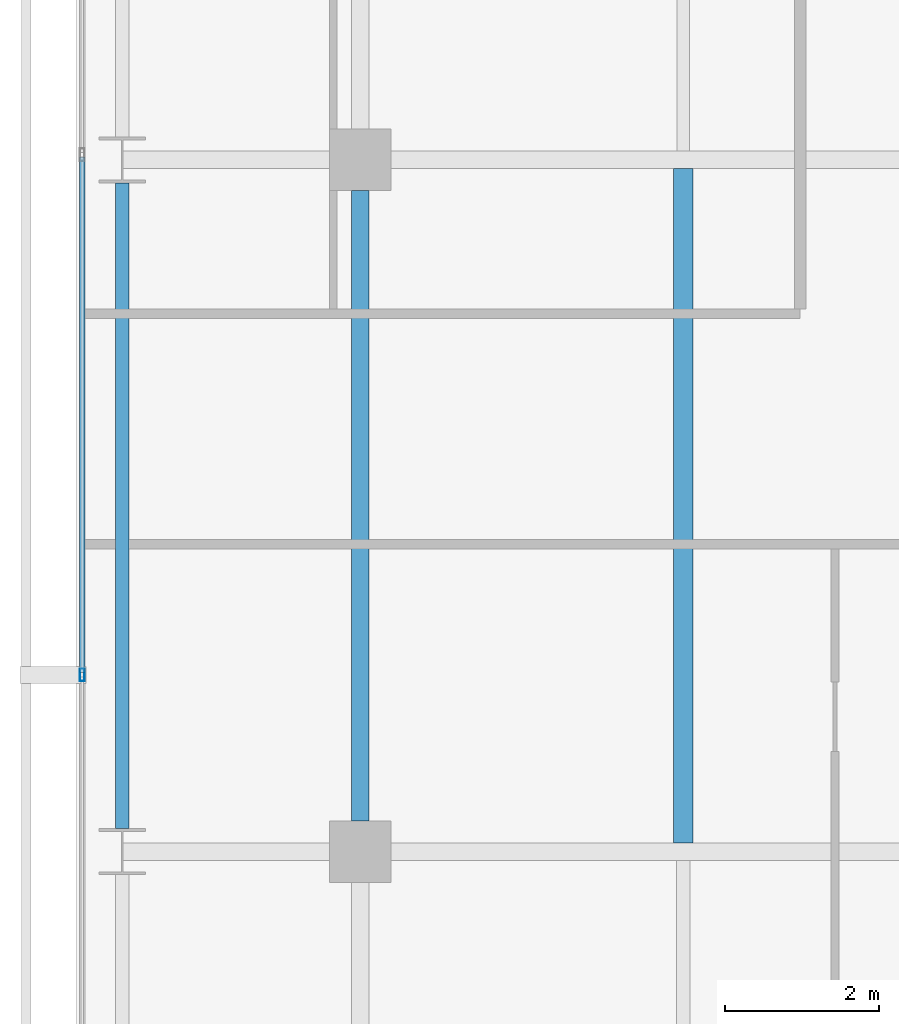
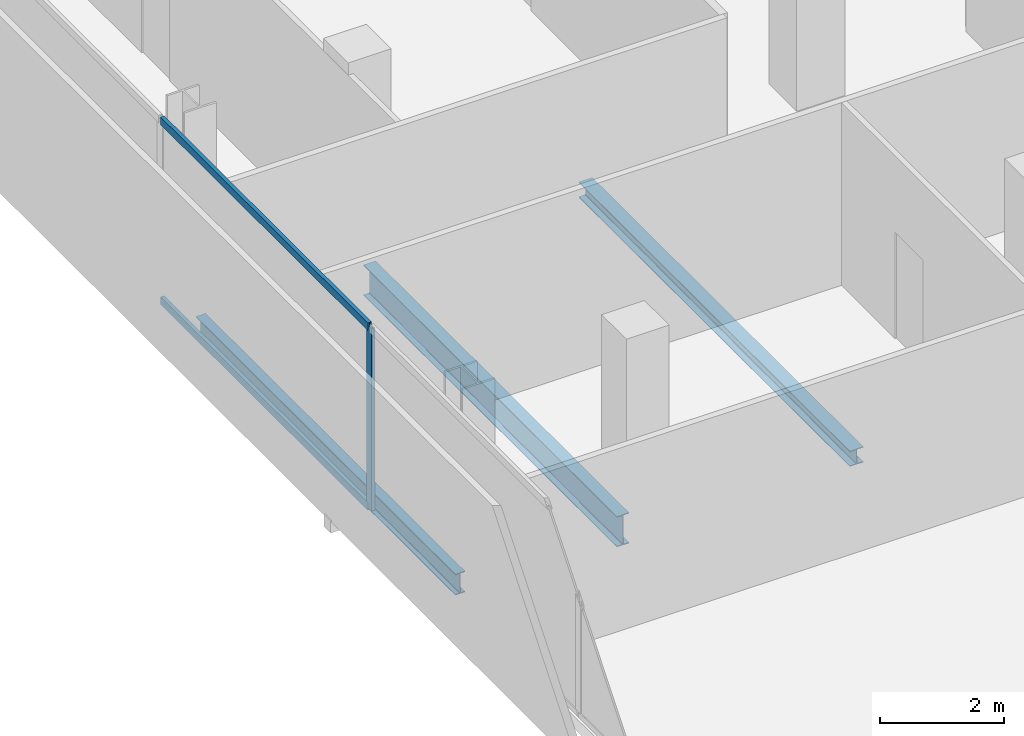
# One storey, part 10 of 32: 3 beams, 3 members, 1 element without a shape of its own.
"""IFC4 building model written with IfcOpenShell, lengths in metres."""

from ifc_helpers import new_model, si_unit, direction, frame, origin, origin_2d, place, context, subcontext, project, spatial, hollow_rectangle, i_section, extrude, material, layer, layer_set, material_profile, profile_set, type_object, element, aggregate, save


model = new_model("IFC4")

# Units and contexts
model_context = context("Model", 3, precision=1e-05, world=origin(), true_north=direction((0.0, 1.0)))
body_context = subcontext(model_context, "Body", "Model", "MODEL_VIEW")
ifc_project = project(units=[si_unit("LENGTHUNIT", "METRE"), si_unit("AREAUNIT", "SQUARE_METRE"), si_unit("VOLUMEUNIT", "CUBIC_METRE"), si_unit("PLANEANGLEUNIT", "RADIAN"), si_unit("MASSUNIT", "GRAM", prefix="KILO")], contexts=[model_context])

# Site, building, storey
site_placement = place(None, origin())
site = spatial("IfcSite", under=ifc_project, at=site_placement, CompositionType="ELEMENT")
building_placement = place(site_placement, origin())
building = spatial("IfcBuilding", under=site, at=building_placement, Name="Maruvema Waterfront Hotel and Observation Tower", CompositionType="ELEMENT")
storey_placement = place(building_placement, frame((0.0, 0.0, 165.89990234375)))
storey = spatial("IfcBuildingStorey", under=building, at=storey_placement, Name="L40", CompositionType="ELEMENT", Elevation=165.89990234375)

# Curtain wall, members
ifc_material_1 = material(Name="Anodised bronze aluminium and solar-control low-E IGU", Category="aluminium")
ifc_layer = layer(ifc_material_1, 0.159912109375, Name="Zone 2 Amber Inner Thermal Curtain Wall System CW-03")
ifc_layer_set = layer_set([ifc_layer], Name="Anodised bronze aluminium and solar-control low-E IGU")
curtain_wall_type = type_object("IfcCurtainWallType", Name="Zone 2 Amber Inner Thermal Curtain Wall System CW-03", PredefinedType="USERDEFINED", material=ifc_layer_set)
curtain_wall_placement = place(storey_placement, origin())
curtain_wall = element("IfcCurtainWall", 1, at=curtain_wall_placement, inside=storey, type_object=curtain_wall_type, Name="L40 Curtain Wall CW-L40-W", ObjectType="UNITISED CURTAIN WALL", PredefinedType="USERDEFINED")
ifc_material_2 = material(Name="Anodised architectural bronze aluminium", Category="aluminium")
ifc_material_profile_1 = material_profile(ifc_material_2, hollow_rectangle(XDim=0.070068359375, YDim=0.14990234375, WallThickness=0.00390625, at=origin_2d()), Name="ALU-T70x150")
ifc_profile_set_1 = profile_set([ifc_material_profile_1], Name="Anodised architectural bronze aluminium")
member_type_1 = type_object("IfcMemberType", Name="Curtain Wall Horizontal Transom ALU-T70x150", PredefinedType="USERDEFINED", material=ifc_profile_set_1)
member_1_placement = place(storey_placement, frame((13.179931640625, 36.03662109375, 0.030029296875), z_axis=(0.0, -1.0, 0.0), x_axis=(1.0, 0.0, 0.0)))
member_1 = element("IfcMember", 2, at=member_1_placement, type_object=member_type_1, Name="CW-03 transom 3.1", ObjectType="TRANSOM", PredefinedType="USERDEFINED", context=body_context, shape_type="SweptSolid", body=[
    extrude(hollow_rectangle(XDim=0.070068359375, YDim=0.14990234375, WallThickness=0.00390625, at=origin_2d()), origin(), (0.0, 0.0, 1.0), 6.70654296875),
])
member_2_placement = place(storey_placement, frame((13.179931640625, 36.03662109375, 3.580078125), z_axis=(0.0, -1.0, 0.0), x_axis=(1.0, 0.0, 0.0)))
member_2 = element("IfcMember", 3, at=member_2_placement, type_object=member_type_1, Name="CW-03 transom 3.2", ObjectType="TRANSOM", PredefinedType="USERDEFINED", context=body_context, shape_type="SweptSolid", body=[
    extrude(hollow_rectangle(XDim=0.070068359375, YDim=0.14990234375, WallThickness=0.00390625, at=origin_2d()), origin(), (0.0, 0.0, 1.0), 6.70654296875),
])
ifc_material_3 = material(Name="Anodised architectural bronze aluminium", Category="aluminium")
ifc_material_profile_2 = material_profile(ifc_material_3, hollow_rectangle(XDim=0.06494140625, YDim=0.1650390625, WallThickness=0.00390625, at=origin_2d()), Name="ALU-M65x165")
ifc_profile_set_2 = profile_set([ifc_material_profile_2], Name="Anodised architectural bronze aluminium")
member_type_2 = type_object("IfcMemberType", Name="Curtain Wall Primary Mullion ALU-M65x165", PredefinedType="MULLION", material=ifc_profile_set_2)
member_3_placement = place(storey_placement, frame((13.179931640625, 29.300048828125, 0.0), z_axis=(0.0, 0.0, 1.0), x_axis=(1.0, 0.0, 0.0)))
member_3 = element("IfcMember", 4, at=member_3_placement, type_object=member_type_2, Name="CW-03 mullion 4", PredefinedType="MULLION", context=body_context, shape_type="SweptSolid", body=[
    extrude(hollow_rectangle(XDim=0.06494140625, YDim=0.1650390625, WallThickness=0.00390625, at=origin_2d()), origin(), (0.0, 0.0, 1.0), 3.610107421875),
])
aggregate(curtain_wall, [member_3, member_1, member_2])

# Beams
ifc_material_4 = material(Name="Steel ASTM A572 Grade 50", Category="steel")
ifc_material_profile_3 = material_profile(ifc_material_4, i_section(OverallWidth=0.180908203125, OverallDepth=0.4169921875, WebThickness=0.010986328125, FlangeThickness=0.018310546875, FilletRadius=0.014892578125, at=origin_2d()), Name="W410x85.0")
ifc_profile_set_3 = profile_set([ifc_material_profile_3], Name="Steel ASTM A572 Grade 50")
beam_type_1 = type_object("IfcBeamType", Name="Perimeter Spandrel Beam W410x85.0", PredefinedType="SPANDREL", material=ifc_profile_set_3)
beam_1_placement = place(storey_placement, frame((13.699951171875, 27.300048828125, -0.448486328125), z_axis=(0.0, 1.0, 0.0), x_axis=(-1.0, 0.0, 0.0)))
element("IfcBeam", 5, at=beam_1_placement, inside=storey, type_object=beam_type_1, Name="L40 Floor Girder NS-03", PredefinedType="SPANDREL", context=body_context, shape_type="SweptSolid", body=[
    extrude(i_section(OverallWidth=0.180908203125, OverallDepth=0.4169921875, WebThickness=0.010986328125, FlangeThickness=0.018310546875, FilletRadius=0.014892578125, at=origin_2d()), origin(), (0.0, 0.0, 1.0), 8.39990234375),
])
ifc_material_5 = material(Name="Steel ASTM A572 Grade 50", Category="steel")
ifc_material_profile_4 = material_profile(ifc_material_5, i_section(OverallWidth=0.22802734375, OverallDepth=0.60302734375, WebThickness=0.010498046875, FlangeThickness=0.014892578125, FilletRadius=0.01806640625, at=origin_2d()), Name="W610x101.0")
ifc_profile_set_4 = profile_set([ifc_material_profile_4], Name="Steel ASTM A572 Grade 50")
beam_type_2 = type_object("IfcBeamType", Name="Primary Floor Girder W610x101.0", PredefinedType="BEAM", material=ifc_profile_set_4)
beam_2_placement = place(storey_placement, frame((16.800048828125, 27.39990234375, -0.54150390625), z_axis=(0.0, 1.0, 0.0), x_axis=(-1.0, 0.0, 0.0)))
element("IfcBeam", 6, at=beam_2_placement, inside=storey, type_object=beam_type_2, Name="L40 Floor Girder NS-07", PredefinedType="BEAM", context=body_context, shape_type="SweptSolid", body=[
    extrude(i_section(OverallWidth=0.22802734375, OverallDepth=0.60302734375, WebThickness=0.010498046875, FlangeThickness=0.014892578125, FilletRadius=0.01806640625, at=origin_2d()), origin(), (0.0, 0.0, 1.0), 8.2001953125),
])
ifc_material_6 = material(Name="Steel ASTM A572 Grade 50", Category="steel")
ifc_material_profile_5 = material_profile(ifc_material_6, i_section(OverallWidth=0.25390625, OverallDepth=0.305908203125, WebThickness=0.0087890625, FlangeThickness=0.0146484375, FilletRadius=0.014892578125, at=origin_2d()), Name="W310x79.0")
ifc_profile_set_5 = profile_set([ifc_material_profile_5], Name="Steel ASTM A572 Grade 50")
beam_type_3 = type_object("IfcBeamType", Name="Secondary Floor Joist W310x79.0", PredefinedType="JOIST", material=ifc_profile_set_5)
beam_3_placement = place(storey_placement, frame((21.0, 27.114013671875, -0.392822265625), z_axis=(0.0, 1.0, 0.0), x_axis=(-1.0, 0.0, 0.0)))
element("IfcBeam", 7, at=beam_3_placement, inside=storey, type_object=beam_type_3, Name="L40 Secondary Floor Joist JS-03", PredefinedType="JOIST", context=body_context, shape_type="SweptSolid", body=[
    extrude(i_section(OverallWidth=0.25390625, OverallDepth=0.305908203125, WebThickness=0.0087890625, FlangeThickness=0.0146484375, FilletRadius=0.014892578125, at=origin_2d()), origin(), (0.0, 0.0, 1.0), 8.77197265625),
])

save(model, "model.ifc")
